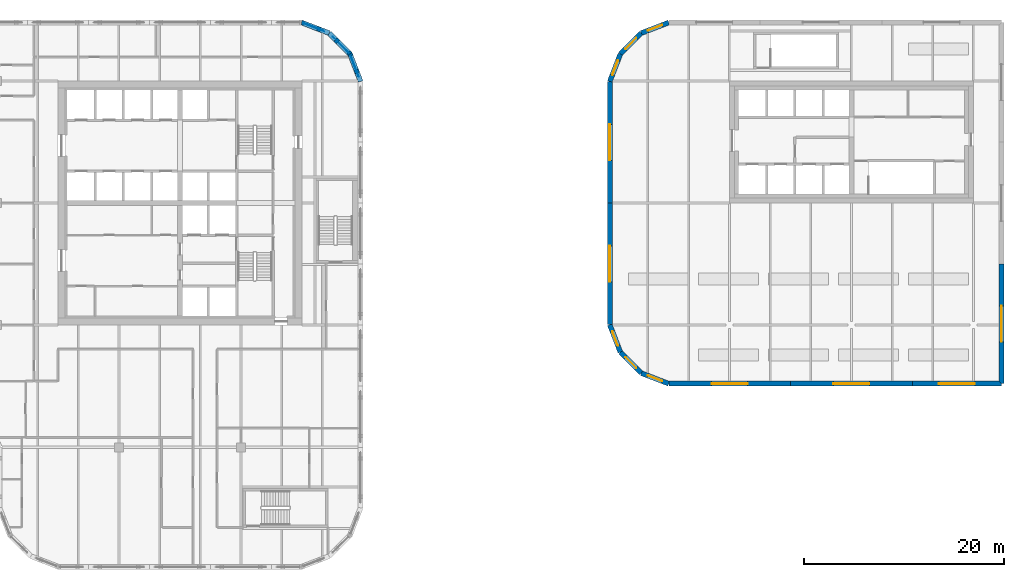
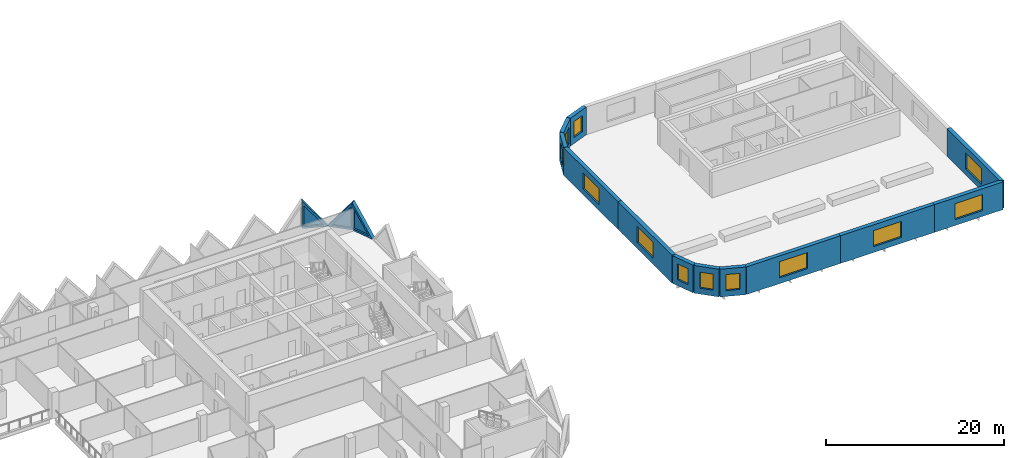
# One storey, part 11 of 17: 15 walls, 12 windows, 3 plates, 15 openings.
"""IFC4 building model written with IfcOpenShell, lengths in metres."""

from ifc_helpers import new_model, si_unit, direction, frame, origin, place, context, subcontext, project, spatial, polyline, outline, extrude, faceted_brep, source, transform, mapped, material, layer, layer_set, type_object, element, fill, save


model = new_model("IFC4")

# Units and contexts
model_context = context("Model", 3, precision=1e-05, world=origin(), true_north=direction((0.0, 1.0)))
body_context = subcontext(model_context, "Body", "Model", "MODEL_VIEW")
ifc_project = project(units=[si_unit("LENGTHUNIT", "METRE"), si_unit("AREAUNIT", "SQUARE_METRE"), si_unit("VOLUMEUNIT", "CUBIC_METRE"), si_unit("PLANEANGLEUNIT", "RADIAN"), si_unit("MASSUNIT", "GRAM", prefix="KILO")], contexts=[model_context])

# Site, building, storey
site_placement = place(None, origin())
site = spatial("IfcSite", under=ifc_project, at=site_placement, CompositionType="ELEMENT")
building_placement = place(site_placement, origin())
building = spatial("IfcBuilding", under=site, at=building_placement, Name="Tessera Gate Towers", CompositionType="ELEMENT")
storey_placement = place(building_placement, frame((0.0, 0.0, 112.60009765625)))
storey = spatial("IfcBuildingStorey", under=building, at=storey_placement, Name="L27", CompositionType="ELEMENT", Elevation=112.60009765625)

# Wall, opening, plate
ifc_material_1 = material(Name="Precast concrete C60/75 white", Category="concrete")
ifc_layer_1 = layer(ifc_material_1, 0.5)
ifc_layer_set_1 = layer_set([ifc_layer_1], Name="TS3 corner tessera")
wall_type_1 = type_object("IfcWallType", Name="TS3 corner tessera", PredefinedType="SOLIDWALL", material=ifc_layer_set_1)
shared_shape_1 = source(origin(), body_context, "Body", "Brep", [
    faceted_brep([(3.00341796875, -0.25, 3.7314453125), (2.950439453125, -0.25, 3.7998046875), (0.0, -0.25, 0.0), (3.00341796875, -0.25, 0.0), (0.046630859375, 0.25, 0.06005859375), (2.897705078125, 0.25, 3.731689453125), (2.897705078125, 0.25, 0.0), (0.046630859375, 0.25, 0.0), (2.950439453125, 0.00048828125, 3.7998046875), (0.0, 0.0, 0.0)], [[[0, 1, 2, 3]], [[4, 5, 6, 7]], [[8, 1, 0]], [[5, 4, 9, 2, 1, 8]], [[7, 6, 3, 2, 9]], [[7, 9, 4]], [[3, 6, 5, 8, 0]]]),
])
wall_1_placement = place(storey_placement, frame((60.75, 48.75341796875, 0.0), z_axis=(0.0, 0.0, 1.0), x_axis=(-0.35992665181, 0.932980602862, 0.0)))
wall_1 = element("IfcWall", 1, at=wall_1_placement, inside=storey, type_object=wall_type_1, Name="Precast corner tessera T1 TS3-0607", PredefinedType="SOLIDWALL", context=body_context, shape_type="MappedRepresentation", body=[
    mapped(shared_shape_1, transform((0.0, 0.0, 0.0), scale=1.0)),
])
shared_shape_2 = source(origin(), body_context, "Body", "SweptSolid", [
    extrude(outline(polyline([(2.75048828125, 3.134765625), (0.5107421875, 0.25), (2.75048828125, 0.25), (2.75048828125, 3.134765625)])), frame((0.0, 0.260009765625, 0.0), z_axis=(0.0, -1.0, 0.0), x_axis=(1.0, 0.0, 0.0)), (0.0, 0.0, 1.0), 0.52001953125),
])
opening_1_placement = place(wall_1_placement, origin())
opening_1 = element("IfcOpeningElement", 2, at=opening_1_placement, cuts=wall_1, Name="Opening T1-PL1-0298", PredefinedType="OPENING", context=body_context, shape_type="MappedRepresentation", body=[
    mapped(shared_shape_2, transform((0.0, 0.0, 0.0), scale=1.0)),
])
ifc_material_2 = material(Name="Low-e laminated glass", Category="glass")
ifc_layer_2 = layer(ifc_material_2, 0.06005859375)
ifc_layer_set_2 = layer_set([ifc_layer_2], Name="PL1 triangular pane")
plate_type = type_object("IfcPlateType", Name="PL1 triangular pane", PredefinedType="SHEET", material=ifc_layer_set_2)
shared_shape_3 = source(origin(), body_context, "Body", "SweptSolid", [
    extrude(outline(polyline([(2.75048828125, 3.134765625), (0.5107421875, 0.25), (2.75048828125, 0.25), (2.75048828125, 3.134765625)])), frame((0.0, 0.030029296875, 0.0), z_axis=(0.0, -1.0, 0.0), x_axis=(1.0, 0.0, 0.0)), (0.0, 0.0, 1.0), 0.06005859375),
])
plate_1_placement = place(opening_1_placement, origin())
plate_1 = element("IfcPlate", 3, at=plate_1_placement, inside=storey, type_object=plate_type, Name="Glass pane T1 PL1-0298", PredefinedType="SHEET", context=body_context, shape_type="MappedRepresentation", body=[
    mapped(shared_shape_3, transform((0.0, 0.0, 0.0), scale=1.0)),
])
fill(opening_1, plate_1)

shared_shape_4 = source(origin(), body_context, "Body", "Brep", [
    faceted_brep([(2.9970703125, -0.25, 0.0), (0.052978515625, -0.25, 3.7998046875), (0.0, -0.25, 3.731689453125), (0.0, -0.25, 0.0), (0.10595703125, 0.25, 3.7314453125), (2.944091796875, 0.25, 0.068115234375), (2.944091796875, 0.25, 0.0), (0.10595703125, 0.25, 0.0), (0.052978515625, 0.0, 3.7998046875), (2.9970703125, 0.000244140625, 0.0)], [[[0, 1, 2, 3]], [[4, 5, 6, 7]], [[5, 4, 8, 1, 0, 9]], [[2, 1, 8]], [[7, 6, 9, 0, 3]], [[7, 3, 2, 8, 4]], [[9, 6, 5]]]),
])
wall_2_placement = place(storey_placement, frame((59.7255859375, 51.46875, 0.0), z_axis=(0.0, 0.0, 1.0), x_axis=(-0.707106781187, 0.707106781187, 0.0)))
wall_2 = element("IfcWall", 4, at=wall_2_placement, inside=storey, type_object=wall_type_1, Name="Precast corner tessera T1 TS3-0608", PredefinedType="SOLIDWALL", context=body_context, shape_type="MappedRepresentation", body=[
    mapped(shared_shape_4, transform((0.0, 0.0, 0.0), scale=1.0)),
])
shared_shape_5 = source(origin(), body_context, "Body", "SweptSolid", [
    extrude(outline(polyline([(2.487060546875, 0.25), (0.2529296875, 3.133544921875), (0.2529296875, 0.25), (2.487060546875, 0.25)])), frame((0.0, 0.260009765625, 0.0), z_axis=(0.0, -1.0, 0.0), x_axis=(1.0, 0.0, 0.0)), (0.0, 0.0, 1.0), 0.52001953125),
])
opening_2_placement = place(wall_2_placement, origin())
opening_2 = element("IfcOpeningElement", 5, at=opening_2_placement, cuts=wall_2, Name="Opening T1-PL1-0299", PredefinedType="OPENING", context=body_context, shape_type="MappedRepresentation", body=[
    mapped(shared_shape_5, transform((0.0, 0.0, 0.0), scale=1.0)),
])
shared_shape_6 = source(origin(), body_context, "Body", "SweptSolid", [
    extrude(outline(polyline([(2.487060546875, 0.25), (0.2529296875, 3.133544921875), (0.2529296875, 0.25), (2.487060546875, 0.25)])), frame((0.0, 0.030029296875, 0.0), z_axis=(0.0, -1.0, 0.0), x_axis=(1.0, 0.0, 0.0)), (0.0, 0.0, 1.0), 0.06005859375),
])
plate_2_placement = place(opening_2_placement, origin())
plate_2 = element("IfcPlate", 6, at=plate_2_placement, inside=storey, type_object=plate_type, Name="Glass pane T1 PL1-0299", PredefinedType="SHEET", context=body_context, shape_type="MappedRepresentation", body=[
    mapped(shared_shape_6, transform((0.0, 0.0, 0.0), scale=1.0)),
])
fill(opening_2, plate_2)

shared_shape_7 = source(origin(), body_context, "Body", "Brep", [
    faceted_brep([(2.9970703125, -0.25, 3.74072265625), (2.950439453125, -0.25, 3.7998046875), (0.0, -0.25, 0.0), (2.9970703125, -0.25, 0.0), (0.052978515625, 0.25, 0.068115234375), (2.904052734375, 0.25, 3.739990234375), (2.904052734375, 0.25, 0.0), (0.052978515625, 0.25, 0.0), (2.950439453125, 0.00048828125, 3.7998046875), (0.0, 0.0, 0.0)], [[[0, 1, 2, 3]], [[4, 5, 6, 7]], [[8, 1, 0]], [[5, 4, 9, 2, 1, 8]], [[7, 6, 3, 2, 9]], [[7, 9, 4]], [[3, 6, 5, 8, 0]]]),
])
wall_3_placement = place(storey_placement, frame((57.606201171875, 53.588134765625, 0.0), z_axis=(0.0, 0.0, 1.0), x_axis=(-0.932990326376, 0.359901446078, 0.0)))
wall_3 = element("IfcWall", 7, at=wall_3_placement, inside=storey, type_object=wall_type_1, Name="Precast corner tessera T1 TS3-0609", PredefinedType="SOLIDWALL", context=body_context, shape_type="MappedRepresentation", body=[
    mapped(shared_shape_7, transform((0.0, 0.0, 0.0), scale=1.0)),
])
opening_3_placement = place(wall_3_placement, origin())
opening_3 = element("IfcOpeningElement", 8, at=opening_3_placement, cuts=wall_3, Name="Opening T1-PL1-0300", PredefinedType="OPENING", context=body_context, shape_type="MappedRepresentation", body=[
    mapped(shared_shape_2, transform((0.0, 0.0, 0.0), scale=1.0)),
])
plate_3_placement = place(opening_3_placement, origin())
plate_3 = element("IfcPlate", 9, at=plate_3_placement, inside=storey, type_object=plate_type, Name="Glass pane T1 PL1-0300", PredefinedType="SHEET", context=body_context, shape_type="MappedRepresentation", body=[
    mapped(shared_shape_3, transform((0.0, 0.0, 0.0), scale=1.0)),
])
fill(opening_3, plate_3)

# Wall, opening, window
ifc_material_3 = material(Name="Precast concrete C60/75 white", Category="concrete")
ifc_layer_3 = layer(ifc_material_3, 0.5)
ifc_layer_set_3 = layer_set([ifc_layer_3], Name="RB1 ring band panel")
wall_type_2 = type_object("IfcWallType", Name="RB1 ring band panel", PredefinedType="SOLIDWALL", material=ifc_layer_set_3)
shared_shape_8 = source(origin(), body_context, "Body", "Brep", [
    faceted_brep([(0.0, -0.25, 0.0), (12.153564453125, -0.25, 0.0), (12.153564453125, -0.25, 3.7998046875), (0.0, -0.25, 3.7998046875), (0.046630859375, 0.25, 3.7998046875), (12.153564453125, 0.25, 3.7998046875), (12.153564453125, 0.25, 0.0), (0.046630859375, 0.25, 0.0), (0.0, 0.0, 0.0), (0.0, 0.0, 3.7998046875)], [[[0, 1, 2, 3]], [[4, 5, 6, 7]], [[7, 6, 1, 0, 8]], [[5, 4, 9, 3, 2]], [[8, 0, 3, 9]], [[7, 8, 9, 4]], [[1, 6, 5, 2]]]),
])
wall_4_placement = place(storey_placement, frame((91.546630859375, 18.550048828125, 0.0), z_axis=(0.0, 0.0, 1.0), x_axis=(1.0, 0.0, 0.0)))
wall_4 = element("IfcWall", 10, at=wall_4_placement, inside=storey, type_object=wall_type_2, Name="Ring band panel T2 RB1-0119", PredefinedType="SOLIDWALL", context=body_context, shape_type="MappedRepresentation", body=[
    mapped(shared_shape_8, transform((0.0, 0.0, 0.0), scale=1.0)),
])
shared_shape_9 = source(origin(), body_context, "Body", "SweptSolid", [
    extrude(outline(polyline([(4.276611328125, 0.7998046875), (7.876708984375, 0.7998046875), (7.876708984375, 3.0), (4.276611328125, 3.0), (4.276611328125, 0.7998046875)])), frame((0.0, 0.260009765625, 0.0), z_axis=(0.0, -1.0, 0.0), x_axis=(1.0, 0.0, 0.0)), (0.0, 0.0, 1.0), 0.52001953125),
])
opening_4_placement = place(wall_4_placement, origin())
opening_4 = element("IfcOpeningElement", 11, at=opening_4_placement, cuts=wall_4, Name="Opening T2-WN-LV1-0023", PredefinedType="OPENING", context=body_context, shape_type="MappedRepresentation", body=[
    mapped(shared_shape_9, transform((0.0, 0.0, 0.0), scale=1.0)),
])
ifc_material_4 = material(Name="Aluminium louvre", Category="aluminium")
ifc_layer_4 = layer(ifc_material_4, 0.06005859375)
ifc_layer_set_4 = layer_set([ifc_layer_4], Name="LV1 louvre")
window_type = type_object("IfcWindowType", Name="LV1 louvre", PartitioningType="USERDEFINED", PredefinedType="WINDOW", material=ifc_layer_set_4)
shared_shape_10 = source(origin(), body_context, "Body", "SweptSolid", [
    extrude(outline(polyline([(4.276611328125, 0.7998046875), (7.876708984375, 0.7998046875), (7.876708984375, 3.0), (4.276611328125, 3.0), (4.276611328125, 0.7998046875)])), frame((0.0, 0.030029296875, 0.0), z_axis=(0.0, -1.0, 0.0), x_axis=(1.0, 0.0, 0.0)), (0.0, 0.0, 1.0), 0.06005859375),
])
window_1_placement = place(opening_4_placement, origin())
window_1 = element("IfcWindow", 12, at=window_1_placement, inside=storey, type_object=window_type, Name="Louvre T2 WN-LV1-0023", OverallHeight=2.2001953125, OverallWidth=3.60009765625, PartitioningType="USERDEFINED", PredefinedType="WINDOW", context=body_context, shape_type="MappedRepresentation", body=[
    mapped(shared_shape_10, transform((0.0, 0.0, 0.0), scale=1.0)),
])
fill(opening_4, window_1)

wall_5_placement = place(storey_placement, frame((85.64990234375, 48.75341796875, 0.0), z_axis=(0.0, 0.0, 1.0), x_axis=(0.0, -1.0, 0.0)))
wall_5 = element("IfcWall", 13, at=wall_5_placement, inside=storey, type_object=wall_type_2, Name="Ring band panel T2 RB1-0131", PredefinedType="SOLIDWALL", context=body_context, shape_type="MappedRepresentation", body=[
    mapped(shared_shape_8, transform((0.0, 0.0, 0.0), scale=1.0)),
])
opening_5_placement = place(wall_5_placement, origin())
opening_5 = element("IfcOpeningElement", 14, at=opening_5_placement, cuts=wall_5, Name="Opening T2-WN-LV1-0035", PredefinedType="OPENING", context=body_context, shape_type="MappedRepresentation", body=[
    mapped(shared_shape_9, transform((0.0, 0.0, 0.0), scale=1.0)),
])
window_2_placement = place(opening_5_placement, origin())
window_2 = element("IfcWindow", 15, at=window_2_placement, inside=storey, type_object=window_type, Name="Louvre T2 WN-LV1-0035", OverallHeight=2.2001953125, OverallWidth=3.60009765625, PartitioningType="USERDEFINED", PredefinedType="WINDOW", context=body_context, shape_type="MappedRepresentation", body=[
    mapped(shared_shape_10, transform((0.0, 0.0, 0.0), scale=1.0)),
])
fill(opening_5, window_2)

shared_shape_11 = source(origin(), body_context, "Body", "SweptSolid", [
    extrude(outline(polyline([(0.0, 0.0), (12.199951171875, 0.0), (12.199951171875, 3.7998046875), (0.0, 3.7998046875), (0.0, 0.0)])), frame((0.0, 0.25, 0.0), z_axis=(0.0, -1.0, 0.0), x_axis=(1.0, 0.0, 0.0)), (0.0, 0.0, 1.0), 0.5),
])
wall_6_placement = place(storey_placement, frame((103.699951171875, 18.550048828125, 0.0), z_axis=(0.0, 0.0, 1.0), x_axis=(1.0, 0.0, 0.0)))
wall_6 = element("IfcWall", 16, at=wall_6_placement, inside=storey, type_object=wall_type_2, Name="Ring band panel T2 RB1-0120", PredefinedType="SOLIDWALL", context=body_context, shape_type="MappedRepresentation", body=[
    mapped(shared_shape_11, transform((0.0, 0.0, 0.0), scale=1.0)),
])
shared_shape_12 = source(origin(), body_context, "Body", "SweptSolid", [
    extrude(outline(polyline([(4.300048828125, 0.7998046875), (7.89990234375, 0.7998046875), (7.89990234375, 3.0), (4.300048828125, 3.0), (4.300048828125, 0.7998046875)])), frame((0.0, 0.260009765625, 0.0), z_axis=(0.0, -1.0, 0.0), x_axis=(1.0, 0.0, 0.0)), (0.0, 0.0, 1.0), 0.52001953125),
])
opening_6_placement = place(wall_6_placement, origin())
opening_6 = element("IfcOpeningElement", 17, at=opening_6_placement, cuts=wall_6, Name="Opening T2-WN-LV1-0024", PredefinedType="OPENING", context=body_context, shape_type="MappedRepresentation", body=[
    mapped(shared_shape_12, transform((0.0, 0.0, 0.0), scale=1.0)),
])
shared_shape_13 = source(origin(), body_context, "Body", "SweptSolid", [
    extrude(outline(polyline([(4.300048828125, 0.7998046875), (7.89990234375, 0.7998046875), (7.89990234375, 3.0), (4.300048828125, 3.0), (4.300048828125, 0.7998046875)])), frame((0.0, 0.030029296875, 0.0), z_axis=(0.0, -1.0, 0.0), x_axis=(1.0, 0.0, 0.0)), (0.0, 0.0, 1.0), 0.06005859375),
])
window_3_placement = place(opening_6_placement, origin())
window_3 = element("IfcWindow", 18, at=window_3_placement, inside=storey, type_object=window_type, Name="Louvre T2 WN-LV1-0024", OverallHeight=2.2001953125, OverallWidth=3.599853515625, PartitioningType="USERDEFINED", PredefinedType="WINDOW", context=body_context, shape_type="MappedRepresentation", body=[
    mapped(shared_shape_13, transform((0.0, 0.0, 0.0), scale=1.0)),
])
fill(opening_6, window_3)

shared_shape_14 = source(origin(), body_context, "Body", "Brep", [
    faceted_brep([(0.0, -0.25, 0.0), (8.89990234375, -0.25, 0.0), (8.89990234375, -0.25, 3.7998046875), (0.0, -0.25, 3.7998046875), (0.0, 0.25, 3.7998046875), (8.64990234375, 0.25, 3.7998046875), (8.64990234375, 0.25, 0.0), (0.0, 0.25, 0.0), (8.89990234375, 0.0, 0.0), (8.89990234375, 0.0, 3.7998046875)], [[[0, 1, 2, 3]], [[4, 5, 6, 7]], [[7, 6, 8, 1, 0]], [[9, 2, 1, 8]], [[5, 4, 3, 2, 9]], [[4, 7, 0, 3]], [[8, 6, 5, 9]]]),
])
wall_7_placement = place(storey_placement, frame((115.89990234375, 18.550048828125, 0.0), z_axis=(0.0, 0.0, 1.0), x_axis=(1.0, 0.0, 0.0)))
wall_7 = element("IfcWall", 19, at=wall_7_placement, inside=storey, type_object=wall_type_2, Name="Ring band panel T2 RB1-0121", PredefinedType="SOLIDWALL", context=body_context, shape_type="MappedRepresentation", body=[
    mapped(shared_shape_14, transform((0.0, 0.0, 0.0), scale=1.0)),
])
shared_shape_15 = source(origin(), body_context, "Body", "SweptSolid", [
    extrude(outline(polyline([(2.64990234375, 0.7998046875), (6.25, 0.7998046875), (6.25, 3.0), (2.64990234375, 3.0), (2.64990234375, 0.7998046875)])), frame((0.0, 0.260009765625, 0.0), z_axis=(0.0, -1.0, 0.0), x_axis=(1.0, 0.0, 0.0)), (0.0, 0.0, 1.0), 0.52001953125),
])
opening_7_placement = place(wall_7_placement, origin())
opening_7 = element("IfcOpeningElement", 20, at=opening_7_placement, cuts=wall_7, Name="Opening T2-WN-LV1-0025", PredefinedType="OPENING", context=body_context, shape_type="MappedRepresentation", body=[
    mapped(shared_shape_15, transform((0.0, 0.0, 0.0), scale=1.0)),
])
shared_shape_16 = source(origin(), body_context, "Body", "SweptSolid", [
    extrude(outline(polyline([(2.64990234375, 0.7998046875), (6.25, 0.7998046875), (6.25, 3.0), (2.64990234375, 3.0), (2.64990234375, 0.7998046875)])), frame((0.0, 0.030029296875, 0.0), z_axis=(0.0, -1.0, 0.0), x_axis=(1.0, 0.0, 0.0)), (0.0, 0.0, 1.0), 0.06005859375),
])
window_4_placement = place(opening_7_placement, origin())
window_4 = element("IfcWindow", 21, at=window_4_placement, inside=storey, type_object=window_type, Name="Louvre T2 WN-LV1-0025", OverallHeight=2.2001953125, OverallWidth=3.60009765625, PartitioningType="USERDEFINED", PredefinedType="WINDOW", context=body_context, shape_type="MappedRepresentation", body=[
    mapped(shared_shape_16, transform((0.0, 0.0, 0.0), scale=1.0)),
])
fill(opening_7, window_4)

shared_shape_17 = source(origin(), body_context, "Body", "Brep", [
    faceted_brep([(0.0, -0.25, 0.0), (11.949951171875, -0.25, 0.0), (11.949951171875, -0.25, 3.7998046875), (0.0, -0.25, 3.7998046875), (0.25, 0.25, 3.7998046875), (11.949951171875, 0.25, 3.7998046875), (11.949951171875, 0.25, 0.0), (0.25, 0.25, 0.0), (0.0, 0.0, 0.0), (0.0, 0.0, 3.7998046875)], [[[0, 1, 2, 3]], [[4, 5, 6, 7]], [[7, 6, 1, 0, 8]], [[6, 5, 2, 1]], [[5, 4, 9, 3, 2]], [[8, 0, 3, 9]], [[7, 8, 9, 4]]]),
])
wall_8_placement = place(storey_placement, frame((124.800048828125, 18.550048828125, 0.0), z_axis=(0.0, 0.0, 1.0), x_axis=(0.0, 1.0, 0.0)))
wall_8 = element("IfcWall", 22, at=wall_8_placement, inside=storey, type_object=wall_type_2, Name="Ring band panel T2 RB1-0122", PredefinedType="SOLIDWALL", context=body_context, shape_type="MappedRepresentation", body=[
    mapped(shared_shape_17, transform((0.0, 0.0, 0.0), scale=1.0)),
])
shared_shape_18 = source(origin(), body_context, "Body", "SweptSolid", [
    extrude(outline(polyline([(4.175048828125, 0.7998046875), (7.77490234375, 0.7998046875), (7.77490234375, 3.0), (4.175048828125, 3.0), (4.175048828125, 0.7998046875)])), frame((0.0, 0.260009765625, 0.0), z_axis=(0.0, -1.0, 0.0), x_axis=(1.0, 0.0, 0.0)), (0.0, 0.0, 1.0), 0.52001953125),
])
opening_8_placement = place(wall_8_placement, origin())
opening_8 = element("IfcOpeningElement", 23, at=opening_8_placement, cuts=wall_8, Name="Opening T2-WN-LV1-0026", PredefinedType="OPENING", context=body_context, shape_type="MappedRepresentation", body=[
    mapped(shared_shape_18, transform((0.0, 0.0, 0.0), scale=1.0)),
])
shared_shape_19 = source(origin(), body_context, "Body", "SweptSolid", [
    extrude(outline(polyline([(4.175048828125, 0.7998046875), (7.77490234375, 0.7998046875), (7.77490234375, 3.0), (4.175048828125, 3.0), (4.175048828125, 0.7998046875)])), frame((0.0, 0.030029296875, 0.0), z_axis=(0.0, -1.0, 0.0), x_axis=(1.0, 0.0, 0.0)), (0.0, 0.0, 1.0), 0.06005859375),
])
window_5_placement = place(opening_8_placement, origin())
window_5 = element("IfcWindow", 24, at=window_5_placement, inside=storey, type_object=window_type, Name="Louvre T2 WN-LV1-0026", OverallHeight=2.2001953125, OverallWidth=3.599853515625, PartitioningType="USERDEFINED", PredefinedType="WINDOW", context=body_context, shape_type="MappedRepresentation", body=[
    mapped(shared_shape_19, transform((0.0, 0.0, 0.0), scale=1.0)),
])
fill(opening_8, window_5)

shared_shape_20 = source(origin(), body_context, "Body", "Brep", [
    faceted_brep([(0.0, -0.25, 0.0), (2.950439453125, -0.25, 0.0), (2.950439453125, -0.25, 3.7998046875), (0.0, -0.25, 3.7998046875), (0.046630859375, 0.25, 3.7998046875), (2.897705078125, 0.25, 3.7998046875), (2.897705078125, 0.25, 0.0), (0.046630859375, 0.25, 0.0), (2.950439453125, 0.00048828125, 0.0), (0.0, 0.0, 0.0), (2.950439453125, 0.00048828125, 3.7998046875), (0.0, 0.0, 3.7998046875)], [[[0, 1, 2, 3]], [[4, 5, 6, 7]], [[7, 6, 8, 1, 0, 9]], [[10, 2, 1, 8]], [[5, 4, 11, 3, 2, 10]], [[9, 0, 3, 11]], [[7, 9, 11, 4]], [[8, 6, 5, 10]]]),
])
wall_9_placement = place(storey_placement, frame((91.546630859375, 54.64990234375, 0.0), z_axis=(0.0, 0.0, 1.0), x_axis=(-0.933010389544, -0.359849431015, 0.0)))
wall_9 = element("IfcWall", 25, at=wall_9_placement, inside=storey, type_object=wall_type_2, Name="Ring band panel T2 RB1-0128", PredefinedType="SOLIDWALL", context=body_context, shape_type="MappedRepresentation", body=[
    mapped(shared_shape_20, transform((0.0, 0.0, 0.0), scale=1.0)),
])
shared_shape_21 = source(origin(), body_context, "Body", "SweptSolid", [
    extrude(outline(polyline([(0.699951171875, 0.7998046875), (2.25048828125, 0.7998046875), (2.25048828125, 3.0), (0.699951171875, 3.0), (0.699951171875, 0.7998046875)])), frame((0.0, 0.260009765625, 0.0), z_axis=(0.0, -1.0, 0.0), x_axis=(1.0, 0.0, 0.0)), (0.0, 0.0, 1.0), 0.52001953125),
])
opening_9_placement = place(wall_9_placement, origin())
opening_9 = element("IfcOpeningElement", 26, at=opening_9_placement, cuts=wall_9, Name="Opening T2-WN-LV1-0032", PredefinedType="OPENING", context=body_context, shape_type="MappedRepresentation", body=[
    mapped(shared_shape_21, transform((0.0, 0.0, 0.0), scale=1.0)),
])
shared_shape_22 = source(origin(), body_context, "Body", "SweptSolid", [
    extrude(outline(polyline([(0.699951171875, 0.7998046875), (2.25048828125, 0.7998046875), (2.25048828125, 3.0), (0.699951171875, 3.0), (0.699951171875, 0.7998046875)])), frame((0.0, 0.030029296875, 0.0), z_axis=(0.0, -1.0, 0.0), x_axis=(1.0, 0.0, 0.0)), (0.0, 0.0, 1.0), 0.06005859375),
])
window_6_placement = place(opening_9_placement, origin())
window_6 = element("IfcWindow", 27, at=window_6_placement, inside=storey, type_object=window_type, Name="Louvre T2 WN-LV1-0032", OverallHeight=2.2001953125, OverallWidth=1.550537109375, PartitioningType="USERDEFINED", PredefinedType="WINDOW", context=body_context, shape_type="MappedRepresentation", body=[
    mapped(shared_shape_22, transform((0.0, 0.0, 0.0), scale=1.0)),
])
fill(opening_9, window_6)

shared_shape_23 = source(origin(), body_context, "Body", "Brep", [
    faceted_brep([(0.0, -0.25, 0.0), (2.944091796875, -0.25, 0.0), (2.944091796875, -0.25, 3.7998046875), (0.0, -0.25, 3.7998046875), (0.052978515625, 0.25, 3.7998046875), (2.89111328125, 0.25, 3.7998046875), (2.89111328125, 0.25, 0.0), (0.052978515625, 0.25, 0.0), (2.944091796875, 0.000244140625, 0.0), (0.0, 0.0, 0.0), (2.944091796875, 0.000244140625, 3.7998046875), (0.0, 0.0, 3.7998046875)], [[[0, 1, 2, 3]], [[4, 5, 6, 7]], [[7, 6, 8, 1, 0, 9]], [[10, 2, 1, 8]], [[5, 4, 11, 3, 2, 10]], [[9, 0, 3, 11]], [[7, 9, 11, 4]], [[8, 6, 5, 10]]]),
])
wall_10_placement = place(storey_placement, frame((88.793701171875, 53.588134765625, 0.0), z_axis=(0.0, 0.0, 1.0), x_axis=(-0.707106781187, -0.707106781187, 0.0)))
wall_10 = element("IfcWall", 28, at=wall_10_placement, inside=storey, type_object=wall_type_2, Name="Ring band panel T2 RB1-0129", PredefinedType="SOLIDWALL", context=body_context, shape_type="MappedRepresentation", body=[
    mapped(shared_shape_23, transform((0.0, 0.0, 0.0), scale=1.0)),
])
shared_shape_24 = source(origin(), body_context, "Body", "SweptSolid", [
    extrude(outline(polyline([(0.699951171875, 0.7998046875), (2.244140625, 0.7998046875), (2.244140625, 3.0), (0.699951171875, 3.0), (0.699951171875, 0.7998046875)])), frame((0.0, 0.260009765625, 0.0), z_axis=(0.0, -1.0, 0.0), x_axis=(1.0, 0.0, 0.0)), (0.0, 0.0, 1.0), 0.52001953125),
])
opening_10_placement = place(wall_10_placement, origin())
opening_10 = element("IfcOpeningElement", 29, at=opening_10_placement, cuts=wall_10, Name="Opening T2-WN-LV1-0033", PredefinedType="OPENING", context=body_context, shape_type="MappedRepresentation", body=[
    mapped(shared_shape_24, transform((0.0, 0.0, 0.0), scale=1.0)),
])
shared_shape_25 = source(origin(), body_context, "Body", "SweptSolid", [
    extrude(outline(polyline([(0.699951171875, 0.7998046875), (2.244140625, 0.7998046875), (2.244140625, 3.0), (0.699951171875, 3.0), (0.699951171875, 0.7998046875)])), frame((0.0, 0.030029296875, 0.0), z_axis=(0.0, -1.0, 0.0), x_axis=(1.0, 0.0, 0.0)), (0.0, 0.0, 1.0), 0.06005859375),
])
window_7_placement = place(opening_10_placement, origin())
window_7 = element("IfcWindow", 30, at=window_7_placement, inside=storey, type_object=window_type, Name="Louvre T2 WN-LV1-0033", OverallHeight=2.2001953125, OverallWidth=1.544189453125, PartitioningType="USERDEFINED", PredefinedType="WINDOW", context=body_context, shape_type="MappedRepresentation", body=[
    mapped(shared_shape_25, transform((0.0, 0.0, 0.0), scale=1.0)),
])
fill(opening_10, window_7)

wall_11_placement = place(storey_placement, frame((86.7119140625, 21.69384765625, 0.0), z_axis=(0.0, 0.0, 1.0), x_axis=(0.707106781187, -0.707106781187, 0.0)))
wall_11 = element("IfcWall", 31, at=wall_11_placement, inside=storey, type_object=wall_type_2, Name="Ring band panel T2 RB1-0134", PredefinedType="SOLIDWALL", context=body_context, shape_type="MappedRepresentation", body=[
    mapped(shared_shape_23, transform((0.0, 0.0, 0.0), scale=1.0)),
])
opening_11_placement = place(wall_11_placement, origin())
opening_11 = element("IfcOpeningElement", 32, at=opening_11_placement, cuts=wall_11, Name="Opening T2-WN-LV1-0038", PredefinedType="OPENING", context=body_context, shape_type="MappedRepresentation", body=[
    mapped(shared_shape_24, transform((0.0, 0.0, 0.0), scale=1.0)),
])
window_8_placement = place(opening_11_placement, origin())
window_8 = element("IfcWindow", 33, at=window_8_placement, inside=storey, type_object=window_type, Name="Louvre T2 WN-LV1-0038", OverallHeight=2.2001953125, OverallWidth=1.544189453125, PartitioningType="USERDEFINED", PredefinedType="WINDOW", context=body_context, shape_type="MappedRepresentation", body=[
    mapped(shared_shape_25, transform((0.0, 0.0, 0.0), scale=1.0)),
])
fill(opening_11, window_8)

shared_shape_26 = source(origin(), body_context, "Body", "Brep", [
    faceted_brep([(0.0, -0.25, 0.0), (2.950439453125, -0.25, 0.0), (2.950439453125, -0.25, 3.7998046875), (0.0, -0.25, 3.7998046875), (0.052978515625, 0.25, 3.7998046875), (2.904052734375, 0.25, 3.7998046875), (2.904052734375, 0.25, 0.0), (0.052978515625, 0.25, 0.0), (2.950439453125, 0.00048828125, 0.0), (0.0, 0.0, 0.0), (2.950439453125, 0.00048828125, 3.7998046875), (0.0, 0.0, 3.7998046875)], [[[0, 1, 2, 3]], [[4, 5, 6, 7]], [[7, 6, 8, 1, 0, 9]], [[10, 2, 1, 8]], [[5, 4, 11, 3, 2, 10]], [[9, 0, 3, 11]], [[7, 9, 11, 4]], [[8, 6, 5, 10]]]),
])
wall_12_placement = place(storey_placement, frame((86.7119140625, 51.50634765625, 0.0), z_axis=(0.0, 0.0, 1.0), x_axis=(-0.359849431015, -0.933010389544, 0.0)))
wall_12 = element("IfcWall", 34, at=wall_12_placement, inside=storey, type_object=wall_type_2, Name="Ring band panel T2 RB1-0130", PredefinedType="SOLIDWALL", context=body_context, shape_type="MappedRepresentation", body=[
    mapped(shared_shape_26, transform((0.0, 0.0, 0.0), scale=1.0)),
])
opening_12_placement = place(wall_12_placement, origin())
opening_12 = element("IfcOpeningElement", 35, at=opening_12_placement, cuts=wall_12, Name="Opening T2-WN-LV1-0034", PredefinedType="OPENING", context=body_context, shape_type="MappedRepresentation", body=[
    mapped(shared_shape_21, transform((0.0, 0.0, 0.0), scale=1.0)),
])
window_9_placement = place(opening_12_placement, origin())
window_9 = element("IfcWindow", 36, at=window_9_placement, inside=storey, type_object=window_type, Name="Louvre T2 WN-LV1-0034", OverallHeight=2.2001953125, OverallWidth=1.550537109375, PartitioningType="USERDEFINED", PredefinedType="WINDOW", context=body_context, shape_type="MappedRepresentation", body=[
    mapped(shared_shape_22, transform((0.0, 0.0, 0.0), scale=1.0)),
])
fill(opening_12, window_9)

shared_shape_27 = source(origin(), body_context, "Body", "Brep", [
    faceted_brep([(0.0, -0.25, 0.0), (12.153564453125, -0.25, 0.0), (12.153564453125, -0.25, 3.7998046875), (0.0, -0.25, 3.7998046875), (0.0, 0.25, 3.7998046875), (12.10693359375, 0.25, 3.7998046875), (12.10693359375, 0.25, 0.0), (0.0, 0.25, 0.0), (12.153564453125, -0.00048828125, 0.0), (12.153564453125, -0.00048828125, 3.7998046875)], [[[0, 1, 2, 3]], [[4, 5, 6, 7]], [[7, 6, 8, 1, 0]], [[9, 2, 1, 8]], [[5, 4, 3, 2, 9]], [[4, 7, 0, 3]], [[8, 6, 5, 9]]]),
])
wall_13_placement = place(storey_placement, frame((85.64990234375, 36.60009765625, 0.0), z_axis=(0.0, 0.0, 1.0), x_axis=(0.0, -1.0, 0.0)))
wall_13 = element("IfcWall", 37, at=wall_13_placement, inside=storey, type_object=wall_type_2, Name="Ring band panel T2 RB1-0132", PredefinedType="SOLIDWALL", context=body_context, shape_type="MappedRepresentation", body=[
    mapped(shared_shape_27, transform((0.0, 0.0, 0.0), scale=1.0)),
])
opening_13_placement = place(wall_13_placement, origin())
opening_13 = element("IfcOpeningElement", 38, at=opening_13_placement, cuts=wall_13, Name="Opening T2-WN-LV1-0036", PredefinedType="OPENING", context=body_context, shape_type="MappedRepresentation", body=[
    mapped(shared_shape_9, transform((0.0, 0.0, 0.0), scale=1.0)),
])
window_10_placement = place(opening_13_placement, origin())
window_10 = element("IfcWindow", 39, at=window_10_placement, inside=storey, type_object=window_type, Name="Louvre T2 WN-LV1-0036", OverallHeight=2.2001953125, OverallWidth=3.60009765625, PartitioningType="USERDEFINED", PredefinedType="WINDOW", context=body_context, shape_type="MappedRepresentation", body=[
    mapped(shared_shape_10, transform((0.0, 0.0, 0.0), scale=1.0)),
])
fill(opening_13, window_10)

shared_shape_28 = source(origin(), body_context, "Body", "Brep", [
    faceted_brep([(0.0, -0.25, 0.0), (2.950439453125, -0.25, 0.0), (2.950439453125, -0.25, 3.7998046875), (0.0, -0.25, 3.7998046875), (0.046630859375, 0.25, 3.7998046875), (2.897705078125, 0.25, 3.7998046875), (2.897705078125, 0.25, 0.0), (0.046630859375, 0.25, 0.0), (2.950439453125, 0.00048828125, 0.0), (0.0, 0.0, 0.0), (2.950439453125, 0.00048828125, 3.7998046875), (0.0, 0.0, 3.7998046875)], [[[0, 1, 2, 3]], [[4, 5, 6, 7]], [[7, 6, 8, 1, 0, 9]], [[10, 2, 1, 8]], [[5, 4, 11, 3, 2, 10]], [[9, 0, 3, 11]], [[7, 9, 11, 4]], [[8, 6, 5, 10]]]),
])
wall_14_placement = place(storey_placement, frame((85.64990234375, 24.446533203125, 0.0), z_axis=(0.0, 0.0, 1.0), x_axis=(0.359949242603, -0.932971887438, 0.0)))
wall_14 = element("IfcWall", 40, at=wall_14_placement, inside=storey, type_object=wall_type_2, Name="Ring band panel T2 RB1-0133", PredefinedType="SOLIDWALL", context=body_context, shape_type="MappedRepresentation", body=[
    mapped(shared_shape_28, transform((0.0, 0.0, 0.0), scale=1.0)),
])
opening_14_placement = place(wall_14_placement, origin())
opening_14 = element("IfcOpeningElement", 41, at=opening_14_placement, cuts=wall_14, Name="Opening T2-WN-LV1-0037", PredefinedType="OPENING", context=body_context, shape_type="MappedRepresentation", body=[
    mapped(shared_shape_21, transform((0.0, 0.0, 0.0), scale=1.0)),
])
window_11_placement = place(opening_14_placement, origin())
window_11 = element("IfcWindow", 42, at=window_11_placement, inside=storey, type_object=window_type, Name="Louvre T2 WN-LV1-0037", OverallHeight=2.2001953125, OverallWidth=1.550537109375, PartitioningType="USERDEFINED", PredefinedType="WINDOW", context=body_context, shape_type="MappedRepresentation", body=[
    mapped(shared_shape_22, transform((0.0, 0.0, 0.0), scale=1.0)),
])
fill(opening_14, window_11)

shared_shape_29 = source(origin(), body_context, "Body", "Brep", [
    faceted_brep([(0.0, -0.25, 0.0), (2.950439453125, -0.25, 0.0), (2.950439453125, -0.25, 3.7998046875), (0.0, -0.25, 3.7998046875), (0.052978515625, 0.25, 3.7998046875), (2.904052734375, 0.25, 3.7998046875), (2.904052734375, 0.25, 0.0), (0.052978515625, 0.25, 0.0), (2.950439453125, 0.00048828125, 0.0), (0.0, 0.0, 0.0), (2.950439453125, 0.00048828125, 3.7998046875), (0.0, 0.0, 3.7998046875)], [[[0, 1, 2, 3]], [[4, 5, 6, 7]], [[7, 6, 8, 1, 0, 9]], [[10, 2, 1, 8]], [[5, 4, 11, 3, 2, 10]], [[9, 0, 3, 11]], [[7, 9, 11, 4]], [[8, 6, 5, 10]]]),
])
wall_15_placement = place(storey_placement, frame((88.793701171875, 19.61181640625, 0.0), z_axis=(0.0, 0.0, 1.0), x_axis=(0.932999673775, -0.359877213415, 0.0)))
wall_15 = element("IfcWall", 43, at=wall_15_placement, inside=storey, type_object=wall_type_2, Name="Ring band panel T2 RB1-0135", PredefinedType="SOLIDWALL", context=body_context, shape_type="MappedRepresentation", body=[
    mapped(shared_shape_29, transform((0.0, 0.0, 0.0), scale=1.0)),
])
opening_15_placement = place(wall_15_placement, origin())
opening_15 = element("IfcOpeningElement", 44, at=opening_15_placement, cuts=wall_15, Name="Opening T2-WN-LV1-0039", PredefinedType="OPENING", context=body_context, shape_type="MappedRepresentation", body=[
    mapped(shared_shape_21, transform((0.0, 0.0, 0.0), scale=1.0)),
])
window_12_placement = place(opening_15_placement, origin())
window_12 = element("IfcWindow", 45, at=window_12_placement, inside=storey, type_object=window_type, Name="Louvre T2 WN-LV1-0039", OverallHeight=2.2001953125, OverallWidth=1.550537109375, PartitioningType="USERDEFINED", PredefinedType="WINDOW", context=body_context, shape_type="MappedRepresentation", body=[
    mapped(shared_shape_22, transform((0.0, 0.0, 0.0), scale=1.0)),
])
fill(opening_15, window_12)

save(model, "model.ifc")
